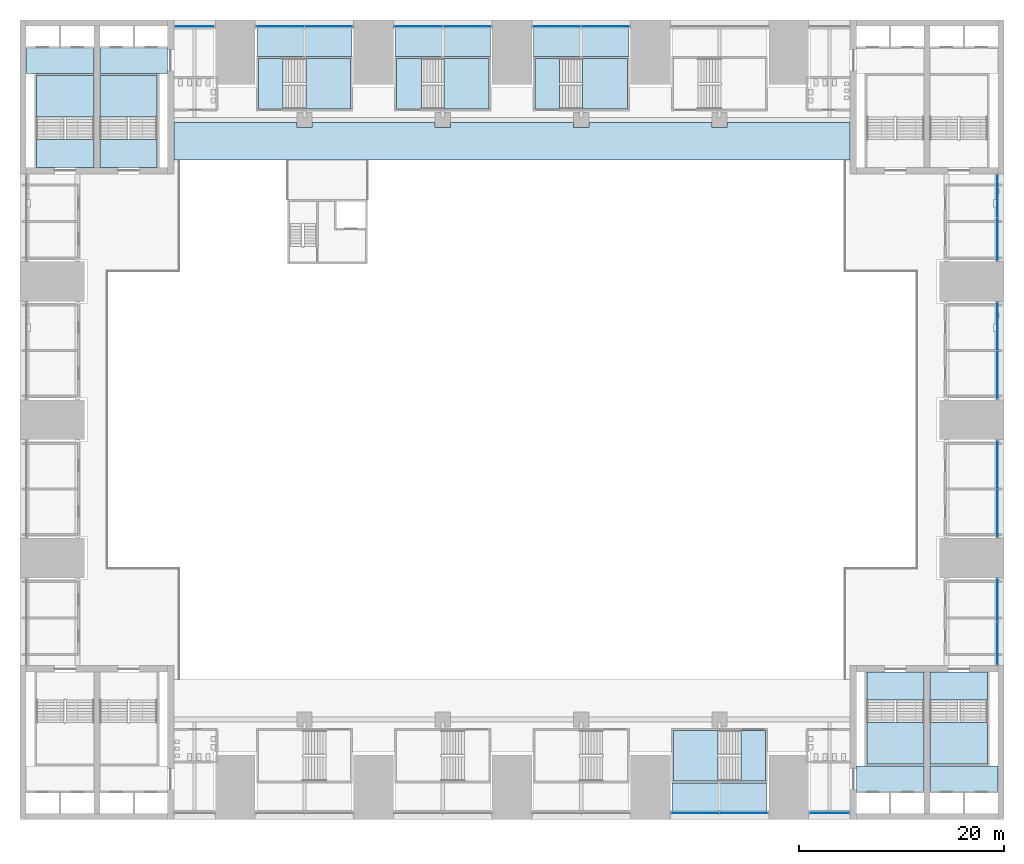
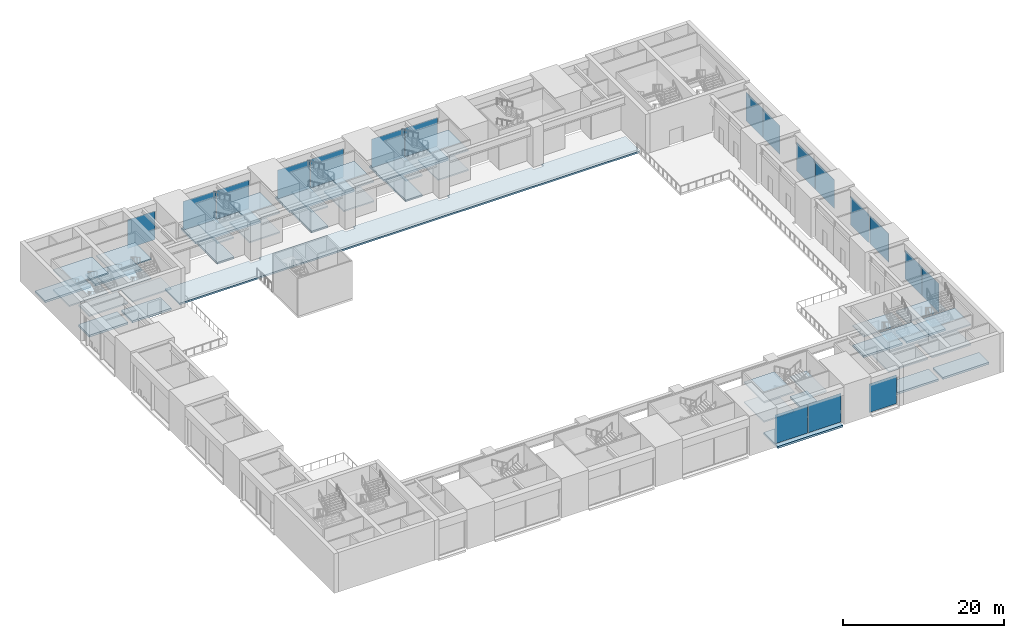
# One storey, part 11 of 41: 41 slabs, 18 plates, 18 elements without a shape of their own.
"""IFC4 building model written with IfcOpenShell, lengths in metres."""

from ifc_helpers import new_model, si_unit, direction, frame, origin, origin_2d, place, context, subcontext, project, spatial, polyline, rectangle, outline, extrude, material, layer, layer_set, type_object, element, aggregate, save


model = new_model("IFC4")

# Units and contexts
model_context = context("Model", 3, precision=1e-05, world=origin(), true_north=direction((0.0, 1.0)))
body_context = subcontext(model_context, "Body", "Model", "MODEL_VIEW")
ifc_project = project(units=[si_unit("LENGTHUNIT", "METRE"), si_unit("AREAUNIT", "SQUARE_METRE"), si_unit("VOLUMEUNIT", "CUBIC_METRE"), si_unit("PLANEANGLEUNIT", "RADIAN"), si_unit("MASSUNIT", "GRAM", prefix="KILO")], contexts=[model_context])

# Site, building, storey
site_placement = place(None, origin())
site = spatial("IfcSite", under=ifc_project, at=site_placement, CompositionType="ELEMENT")
building_placement = place(site_placement, origin())
building = spatial("IfcBuilding", under=site, at=building_placement, Name="Corbelhall Arena Tower", CompositionType="ELEMENT")
storey_placement = place(building_placement, frame((0.0, 0.0, 19.0)))
storey = spatial("IfcBuildingStorey", under=building, at=storey_placement, Name="L02", CompositionType="ELEMENT", Elevation=19.0)

# Stair, slabs
ifc_material_1 = material(Name="Reinforced concrete C40/50", Category="concrete")
stair_type = type_object("IfcStairType", Name="AR-EXIT-STAIR", PredefinedType="HALF_TURN_STAIR", material=ifc_material_1)
stair_1_placement = place(storey_placement, origin())
stair_1 = element("IfcStair", 1, at=stair_1_placement, inside=storey, type_object=stair_type, Name="L02 exit stair AS9", PredefinedType="HALF_TURN_STAIR")
ifc_layer_1 = layer(ifc_material_1, 0.199951171875)
ifc_layer_set_1 = layer_set([ifc_layer_1], Name="AR-EXIT-LANDING")
slab_type_1 = type_object("IfcSlabType", Name="AR-EXIT-LANDING", PredefinedType="LANDING", material=ifc_layer_set_1)
slab_1_placement = place(storey_placement, frame((0.0, 0.0, 1.300048828125)))
slab_1 = element("IfcSlab", 2, at=slab_1_placement, type_object=slab_type_1, Name="AS9 landing 1", PredefinedType="LANDING", context=body_context, shape_type="SweptSolid", body=[
    extrude(outline(polyline([(-20.110107421875, 30.300048828125), (-15.75, 30.300048828125), (-15.75, 35.25), (-20.110107421875, 35.25), (-20.110107421875, 30.300048828125)])), origin(), (0.0, 0.0, 1.0), 0.199951171875),
])
slab_2_placement = place(storey_placement, frame((0.0, 0.0, 2.800048828125)))
slab_2 = element("IfcSlab", 3, at=slab_2_placement, type_object=slab_type_1, Name="AS9 landing 2", PredefinedType="LANDING", context=body_context, shape_type="SweptSolid", body=[
    extrude(outline(polyline([(-24.75, 30.300048828125), (-22.35009765625, 30.300048828125), (-22.35009765625, 35.25), (-24.75, 35.25), (-24.75, 30.300048828125)])), origin(), (0.0, 0.0, 1.0), 0.199951171875),
])
slab_3_placement = place(storey_placement, frame((0.0, 0.0, 4.300048828125)))
slab_3 = element("IfcSlab", 4, at=slab_3_placement, type_object=slab_type_1, Name="AS9 landing 3", PredefinedType="LANDING", context=body_context, shape_type="SweptSolid", body=[
    extrude(outline(polyline([(-20.110107421875, 30.300048828125), (-15.75, 30.300048828125), (-15.75, 35.25), (-20.110107421875, 35.25), (-20.110107421875, 30.300048828125)])), origin(), (0.0, 0.0, 1.0), 0.199951171875),
])
aggregate(stair_1, [slab_1, slab_2, slab_3])

stair_2_placement = place(storey_placement, origin())
stair_2 = element("IfcStair", 5, at=stair_2_placement, inside=storey, type_object=stair_type, Name="L02 exit stair AS10", PredefinedType="HALF_TURN_STAIR")
slab_4_placement = place(storey_placement, frame((0.0, 0.0, 1.300048828125)))
slab_4 = element("IfcSlab", 6, at=slab_4_placement, type_object=slab_type_1, Name="AS10 landing 1", PredefinedType="LANDING", context=body_context, shape_type="SweptSolid", body=[
    extrude(outline(polyline([(-6.610107421875, 30.300048828125), (-2.25, 30.300048828125), (-2.25, 35.25), (-6.610107421875, 35.25), (-6.610107421875, 30.300048828125)])), origin(), (0.0, 0.0, 1.0), 0.199951171875),
])
slab_5_placement = place(storey_placement, frame((0.0, 0.0, 2.800048828125)))
slab_5 = element("IfcSlab", 7, at=slab_5_placement, type_object=slab_type_1, Name="AS10 landing 2", PredefinedType="LANDING", context=body_context, shape_type="SweptSolid", body=[
    extrude(outline(polyline([(-11.25, 30.300048828125), (-8.85009765625, 30.300048828125), (-8.85009765625, 35.25), (-11.25, 35.25), (-11.25, 30.300048828125)])), origin(), (0.0, 0.0, 1.0), 0.199951171875),
])
slab_6_placement = place(storey_placement, frame((0.0, 0.0, 4.300048828125)))
slab_6 = element("IfcSlab", 8, at=slab_6_placement, type_object=slab_type_1, Name="AS10 landing 3", PredefinedType="LANDING", context=body_context, shape_type="SweptSolid", body=[
    extrude(outline(polyline([(-6.610107421875, 30.300048828125), (-2.25, 30.300048828125), (-2.25, 35.25), (-6.610107421875, 35.25), (-6.610107421875, 30.300048828125)])), origin(), (0.0, 0.0, 1.0), 0.199951171875),
])
aggregate(stair_2, [slab_4, slab_5, slab_6])

stair_3_placement = place(storey_placement, origin())
stair_3 = element("IfcStair", 9, at=stair_3_placement, inside=storey, type_object=stair_type, Name="L02 exit stair AS11", PredefinedType="HALF_TURN_STAIR")
slab_7_placement = place(storey_placement, frame((0.0, 0.0, 1.300048828125)))
slab_7 = element("IfcSlab", 10, at=slab_7_placement, type_object=slab_type_1, Name="AS11 landing 1", PredefinedType="LANDING", context=body_context, shape_type="SweptSolid", body=[
    extrude(outline(polyline([(6.889892578125, 30.300048828125), (11.25, 30.300048828125), (11.25, 35.25), (6.889892578125, 35.25), (6.889892578125, 30.300048828125)])), origin(), (0.0, 0.0, 1.0), 0.199951171875),
])
slab_8_placement = place(storey_placement, frame((0.0, 0.0, 2.800048828125)))
slab_8 = element("IfcSlab", 11, at=slab_8_placement, type_object=slab_type_1, Name="AS11 landing 2", PredefinedType="LANDING", context=body_context, shape_type="SweptSolid", body=[
    extrude(outline(polyline([(2.25, 30.300048828125), (4.64990234375, 30.300048828125), (4.64990234375, 35.25), (2.25, 35.25), (2.25, 30.300048828125)])), origin(), (0.0, 0.0, 1.0), 0.199951171875),
])
slab_9_placement = place(storey_placement, frame((0.0, 0.0, 4.300048828125)))
slab_9 = element("IfcSlab", 12, at=slab_9_placement, type_object=slab_type_1, Name="AS11 landing 3", PredefinedType="LANDING", context=body_context, shape_type="SweptSolid", body=[
    extrude(outline(polyline([(6.889892578125, 30.300048828125), (11.25, 30.300048828125), (11.25, 35.25), (6.889892578125, 35.25), (6.889892578125, 30.300048828125)])), origin(), (0.0, 0.0, 1.0), 0.199951171875),
])
aggregate(stair_3, [slab_7, slab_8, slab_9])

stair_4_placement = place(storey_placement, origin())
stair_4 = element("IfcStair", 13, at=stair_4_placement, inside=storey, type_object=stair_type, Name="L02 exit stair AS16", PredefinedType="HALF_TURN_STAIR")
slab_10_placement = place(storey_placement, frame((0.0, 0.0, 1.300048828125)))
slab_10 = element("IfcSlab", 14, at=slab_10_placement, type_object=slab_type_1, Name="AS16 landing 1", PredefinedType="LANDING", context=body_context, shape_type="SweptSolid", body=[
    extrude(outline(polyline([(20.110107421875, -30.300048828125), (15.75, -30.300048828125), (15.75, -35.25), (20.110107421875, -35.25), (20.110107421875, -30.300048828125)])), origin(), (0.0, 0.0, 1.0), 0.199951171875),
])
slab_11_placement = place(storey_placement, frame((0.0, 0.0, 2.800048828125)))
slab_11 = element("IfcSlab", 15, at=slab_11_placement, type_object=slab_type_1, Name="AS16 landing 2", PredefinedType="LANDING", context=body_context, shape_type="SweptSolid", body=[
    extrude(outline(polyline([(24.75, -30.300048828125), (22.35009765625, -30.300048828125), (22.35009765625, -35.25), (24.75, -35.25), (24.75, -30.300048828125)])), origin(), (0.0, 0.0, 1.0), 0.199951171875),
])
slab_12_placement = place(storey_placement, frame((0.0, 0.0, 4.300048828125)))
slab_12 = element("IfcSlab", 16, at=slab_12_placement, type_object=slab_type_1, Name="AS16 landing 3", PredefinedType="LANDING", context=body_context, shape_type="SweptSolid", body=[
    extrude(outline(polyline([(20.110107421875, -30.300048828125), (15.75, -30.300048828125), (15.75, -35.25), (20.110107421875, -35.25), (20.110107421875, -30.300048828125)])), origin(), (0.0, 0.0, 1.0), 0.199951171875),
])
aggregate(stair_4, [slab_10, slab_11, slab_12])

stair_5_placement = place(storey_placement, origin())
stair_5 = element("IfcStair", 17, at=stair_5_placement, inside=storey, type_object=stair_type, Name="L02 exit stair AS3", PredefinedType="HALF_TURN_STAIR")
slab_13_placement = place(storey_placement, frame((0.0, 0.0, 1.300048828125)))
slab_13 = element("IfcSlab", 18, at=slab_13_placement, type_object=slab_type_1, Name="AS3 landing 1", PredefinedType="LANDING", context=body_context, shape_type="SweptSolid", body=[
    extrude(outline(polyline([(-34.610107421875, 29.56005859375), (-34.610107421875, 33.60009765625), (-40.199951171875, 33.60009765625), (-40.199951171875, 29.56005859375), (-34.610107421875, 29.56005859375)])), origin(), (0.0, 0.0, 1.0), 0.199951171875),
])
slab_14_placement = place(storey_placement, frame((0.0, 0.0, 2.800048828125)))
slab_14 = element("IfcSlab", 19, at=slab_14_placement, type_object=slab_type_1, Name="AS3 landing 2", PredefinedType="LANDING", context=body_context, shape_type="SweptSolid", body=[
    extrude(outline(polyline([(-34.610107421875, 24.60009765625), (-34.610107421875, 27.320068359375), (-40.199951171875, 27.320068359375), (-40.199951171875, 24.60009765625), (-34.610107421875, 24.60009765625)])), origin(), (0.0, 0.0, 1.0), 0.199951171875),
])
slab_15_placement = place(storey_placement, frame((0.0, 0.0, 4.300048828125)))
slab_15 = element("IfcSlab", 20, at=slab_15_placement, type_object=slab_type_1, Name="AS3 landing 3", PredefinedType="LANDING", context=body_context, shape_type="SweptSolid", body=[
    extrude(outline(polyline([(-34.610107421875, 29.56005859375), (-34.610107421875, 33.60009765625), (-40.199951171875, 33.60009765625), (-40.199951171875, 29.56005859375), (-34.610107421875, 29.56005859375)])), origin(), (0.0, 0.0, 1.0), 0.199951171875),
])
aggregate(stair_5, [slab_13, slab_14, slab_15])

stair_6_placement = place(storey_placement, origin())
stair_6 = element("IfcStair", 21, at=stair_6_placement, inside=storey, type_object=stair_type, Name="L02 exit stair AS4", PredefinedType="HALF_TURN_STAIR")
slab_16_placement = place(storey_placement, frame((0.0, 0.0, 1.300048828125)))
slab_16 = element("IfcSlab", 22, at=slab_16_placement, type_object=slab_type_1, Name="AS4 landing 1", PredefinedType="LANDING", context=body_context, shape_type="SweptSolid", body=[
    extrude(outline(polyline([(-40.800048828125, 29.56005859375), (-40.800048828125, 33.60009765625), (-46.389892578125, 33.60009765625), (-46.389892578125, 29.56005859375), (-40.800048828125, 29.56005859375)])), origin(), (0.0, 0.0, 1.0), 0.199951171875),
])
slab_17_placement = place(storey_placement, frame((0.0, 0.0, 2.800048828125)))
slab_17 = element("IfcSlab", 23, at=slab_17_placement, type_object=slab_type_1, Name="AS4 landing 2", PredefinedType="LANDING", context=body_context, shape_type="SweptSolid", body=[
    extrude(outline(polyline([(-40.800048828125, 24.60009765625), (-40.800048828125, 27.320068359375), (-46.389892578125, 27.320068359375), (-46.389892578125, 24.60009765625), (-40.800048828125, 24.60009765625)])), origin(), (0.0, 0.0, 1.0), 0.199951171875),
])
slab_18_placement = place(storey_placement, frame((0.0, 0.0, 4.300048828125)))
slab_18 = element("IfcSlab", 24, at=slab_18_placement, type_object=slab_type_1, Name="AS4 landing 3", PredefinedType="LANDING", context=body_context, shape_type="SweptSolid", body=[
    extrude(outline(polyline([(-40.800048828125, 29.56005859375), (-40.800048828125, 33.60009765625), (-46.389892578125, 33.60009765625), (-46.389892578125, 29.56005859375), (-40.800048828125, 29.56005859375)])), origin(), (0.0, 0.0, 1.0), 0.199951171875),
])
aggregate(stair_6, [slab_16, slab_17, slab_18])

stair_7_placement = place(storey_placement, origin())
stair_7 = element("IfcStair", 25, at=stair_7_placement, inside=storey, type_object=stair_type, Name="L02 exit stair AS5", PredefinedType="HALF_TURN_STAIR")
slab_19_placement = place(storey_placement, frame((0.0, 0.0, 1.300048828125)))
slab_19 = element("IfcSlab", 26, at=slab_19_placement, type_object=slab_type_1, Name="AS5 landing 1", PredefinedType="LANDING", context=body_context, shape_type="SweptSolid", body=[
    extrude(outline(polyline([(34.610107421875, -29.56005859375), (34.610107421875, -33.60009765625), (40.199951171875, -33.60009765625), (40.199951171875, -29.56005859375), (34.610107421875, -29.56005859375)])), origin(), (0.0, 0.0, 1.0), 0.199951171875),
])
slab_20_placement = place(storey_placement, frame((0.0, 0.0, 2.800048828125)))
slab_20 = element("IfcSlab", 27, at=slab_20_placement, type_object=slab_type_1, Name="AS5 landing 2", PredefinedType="LANDING", context=body_context, shape_type="SweptSolid", body=[
    extrude(outline(polyline([(34.610107421875, -24.60009765625), (34.610107421875, -27.320068359375), (40.199951171875, -27.320068359375), (40.199951171875, -24.60009765625), (34.610107421875, -24.60009765625)])), origin(), (0.0, 0.0, 1.0), 0.199951171875),
])
slab_21_placement = place(storey_placement, frame((0.0, 0.0, 4.300048828125)))
slab_21 = element("IfcSlab", 28, at=slab_21_placement, type_object=slab_type_1, Name="AS5 landing 3", PredefinedType="LANDING", context=body_context, shape_type="SweptSolid", body=[
    extrude(outline(polyline([(34.610107421875, -29.56005859375), (34.610107421875, -33.60009765625), (40.199951171875, -33.60009765625), (40.199951171875, -29.56005859375), (34.610107421875, -29.56005859375)])), origin(), (0.0, 0.0, 1.0), 0.199951171875),
])
aggregate(stair_7, [slab_19, slab_20, slab_21])

stair_8_placement = place(storey_placement, origin())
stair_8 = element("IfcStair", 29, at=stair_8_placement, inside=storey, type_object=stair_type, Name="L02 exit stair AS6", PredefinedType="HALF_TURN_STAIR")
slab_22_placement = place(storey_placement, frame((0.0, 0.0, 1.300048828125)))
slab_22 = element("IfcSlab", 30, at=slab_22_placement, type_object=slab_type_1, Name="AS6 landing 1", PredefinedType="LANDING", context=body_context, shape_type="SweptSolid", body=[
    extrude(outline(polyline([(40.800048828125, -29.56005859375), (40.800048828125, -33.60009765625), (46.389892578125, -33.60009765625), (46.389892578125, -29.56005859375), (40.800048828125, -29.56005859375)])), origin(), (0.0, 0.0, 1.0), 0.199951171875),
])
slab_23_placement = place(storey_placement, frame((0.0, 0.0, 2.800048828125)))
slab_23 = element("IfcSlab", 31, at=slab_23_placement, type_object=slab_type_1, Name="AS6 landing 2", PredefinedType="LANDING", context=body_context, shape_type="SweptSolid", body=[
    extrude(outline(polyline([(40.800048828125, -24.60009765625), (40.800048828125, -27.320068359375), (46.389892578125, -27.320068359375), (46.389892578125, -24.60009765625), (40.800048828125, -24.60009765625)])), origin(), (0.0, 0.0, 1.0), 0.199951171875),
])
slab_24_placement = place(storey_placement, frame((0.0, 0.0, 4.300048828125)))
slab_24 = element("IfcSlab", 32, at=slab_24_placement, type_object=slab_type_1, Name="AS6 landing 3", PredefinedType="LANDING", context=body_context, shape_type="SweptSolid", body=[
    extrude(outline(polyline([(40.800048828125, -29.56005859375), (40.800048828125, -33.60009765625), (46.389892578125, -33.60009765625), (46.389892578125, -29.56005859375), (40.800048828125, -29.56005859375)])), origin(), (0.0, 0.0, 1.0), 0.199951171875),
])
aggregate(stair_8, [slab_22, slab_23, slab_24])

# Slabs
ifc_layer_2 = layer(ifc_material_1, 0.300048828125)
ifc_layer_set_2 = layer_set([ifc_layer_2], Name="AR-STAIR-FLOOR")
slab_type_2 = type_object("IfcSlabType", Name="AR-STAIR-FLOOR", PredefinedType="FLOOR", material=ifc_layer_set_2)
slab_25_placement = place(storey_placement, frame((0.0, 0.0, -0.300048828125)))
element("IfcSlab", 33, at=slab_25_placement, inside=storey, type_object=slab_type_2, Name="Stair AS9 floor", PredefinedType="FLOOR", context=body_context, shape_type="SweptSolid", body=[
    extrude(outline(polyline([(-24.75, 30.300048828125), (-24.75, 35.25), (-22.346923828125, 35.25), (-22.346923828125, 30.300048828125), (-24.75, 30.300048828125)])), origin(), (0.0, 0.0, 1.0), 0.300048828125),
])
slab_26_placement = place(storey_placement, frame((0.0, 0.0, -0.300048828125)))
element("IfcSlab", 34, at=slab_26_placement, inside=storey, type_object=slab_type_2, Name="Stair AS10 floor", PredefinedType="FLOOR", context=body_context, shape_type="SweptSolid", body=[
    extrude(outline(polyline([(-11.25, 30.300048828125), (-11.25, 35.25), (-8.846923828125, 35.25), (-8.846923828125, 30.300048828125), (-11.25, 30.300048828125)])), origin(), (0.0, 0.0, 1.0), 0.300048828125),
])
slab_27_placement = place(storey_placement, frame((0.0, 0.0, -0.300048828125)))
element("IfcSlab", 35, at=slab_27_placement, inside=storey, type_object=slab_type_2, Name="Stair AS11 floor", PredefinedType="FLOOR", context=body_context, shape_type="SweptSolid", body=[
    extrude(outline(polyline([(2.25, 30.300048828125), (2.25, 35.25), (4.653076171875, 35.25), (4.653076171875, 30.300048828125), (2.25, 30.300048828125)])), origin(), (0.0, 0.0, 1.0), 0.300048828125),
])
slab_28_placement = place(storey_placement, frame((0.0, 0.0, -0.300048828125)))
element("IfcSlab", 36, at=slab_28_placement, inside=storey, type_object=slab_type_2, Name="Stair AS16 floor", PredefinedType="FLOOR", context=body_context, shape_type="SweptSolid", body=[
    extrude(outline(polyline([(24.75, -30.300048828125), (24.75, -35.25), (22.346923828125, -35.25), (22.346923828125, -30.300048828125), (24.75, -30.300048828125)])), origin(), (0.0, 0.0, 1.0), 0.300048828125),
])
slab_29_placement = place(storey_placement, frame((0.0, 0.0, -0.300048828125)))
element("IfcSlab", 37, at=slab_29_placement, inside=storey, type_object=slab_type_2, Name="Stair AS3 floor", PredefinedType="FLOOR", context=body_context, shape_type="SweptSolid", body=[
    extrude(outline(polyline([(-34.610107421875, 24.60009765625), (-40.199951171875, 24.60009765625), (-40.199951171875, 27.322998046875), (-34.610107421875, 27.322998046875), (-34.610107421875, 24.60009765625)])), origin(), (0.0, 0.0, 1.0), 0.300048828125),
])
slab_30_placement = place(storey_placement, frame((0.0, 0.0, -0.300048828125)))
element("IfcSlab", 38, at=slab_30_placement, inside=storey, type_object=slab_type_2, Name="Stair AS4 floor", PredefinedType="FLOOR", context=body_context, shape_type="SweptSolid", body=[
    extrude(outline(polyline([(-40.800048828125, 24.60009765625), (-46.389892578125, 24.60009765625), (-46.389892578125, 27.322998046875), (-40.800048828125, 27.322998046875), (-40.800048828125, 24.60009765625)])), origin(), (0.0, 0.0, 1.0), 0.300048828125),
])
slab_31_placement = place(storey_placement, frame((0.0, 0.0, -0.300048828125)))
element("IfcSlab", 39, at=slab_31_placement, inside=storey, type_object=slab_type_2, Name="Stair AS5 floor", PredefinedType="FLOOR", context=body_context, shape_type="SweptSolid", body=[
    extrude(outline(polyline([(34.610107421875, -24.60009765625), (40.199951171875, -24.60009765625), (40.199951171875, -27.322998046875), (34.610107421875, -27.322998046875), (34.610107421875, -24.60009765625)])), origin(), (0.0, 0.0, 1.0), 0.300048828125),
])
slab_32_placement = place(storey_placement, frame((0.0, 0.0, -0.300048828125)))
element("IfcSlab", 40, at=slab_32_placement, inside=storey, type_object=slab_type_2, Name="Stair AS6 floor", PredefinedType="FLOOR", context=body_context, shape_type="SweptSolid", body=[
    extrude(outline(polyline([(40.800048828125, -24.60009765625), (46.389892578125, -24.60009765625), (46.389892578125, -27.322998046875), (40.800048828125, -27.322998046875), (40.800048828125, -24.60009765625)])), origin(), (0.0, 0.0, 1.0), 0.300048828125),
])
slab_33_placement = place(storey_placement, frame((0.0, 0.0, -0.300048828125)))
element("IfcSlab", 41, at=slab_33_placement, inside=storey, type_object=slab_type_2, Name="Lift lobby floor NW", PredefinedType="FLOOR", context=body_context, shape_type="SweptSolid", body=[
    extrude(outline(polyline([(-40.800048828125, 33.800048828125), (-40.800048828125, 36.300048828125), (-47.39990234375, 36.300048828125), (-47.39990234375, 33.800048828125), (-40.800048828125, 33.800048828125)])), origin(), (0.0, 0.0, 1.0), 0.300048828125),
])
slab_34_placement = place(storey_placement, frame((0.0, 0.0, -0.300048828125)))
element("IfcSlab", 42, at=slab_34_placement, inside=storey, type_object=slab_type_2, Name="Lift lobby floor NW", PredefinedType="FLOOR", context=body_context, shape_type="SweptSolid", body=[
    extrude(outline(polyline([(-33.60009765625, 33.800048828125), (-33.60009765625, 36.300048828125), (-40.199951171875, 36.300048828125), (-40.199951171875, 33.800048828125), (-33.60009765625, 33.800048828125)])), origin(), (0.0, 0.0, 1.0), 0.300048828125),
])
slab_35_placement = place(storey_placement, frame((0.0, 0.0, -0.300048828125)))
element("IfcSlab", 43, at=slab_35_placement, inside=storey, type_object=slab_type_2, Name="Lift lobby floor SE", PredefinedType="FLOOR", context=body_context, shape_type="SweptSolid", body=[
    extrude(outline(polyline([(40.199951171875, -36.300048828125), (40.199951171875, -33.800048828125), (33.60009765625, -33.800048828125), (33.60009765625, -36.300048828125), (40.199951171875, -36.300048828125)])), origin(), (0.0, 0.0, 1.0), 0.300048828125),
])
slab_36_placement = place(storey_placement, frame((0.0, 0.0, -0.300048828125)))
element("IfcSlab", 44, at=slab_36_placement, inside=storey, type_object=slab_type_2, Name="Lift lobby floor SE", PredefinedType="FLOOR", context=body_context, shape_type="SweptSolid", body=[
    extrude(outline(polyline([(47.39990234375, -36.300048828125), (47.39990234375, -33.800048828125), (40.800048828125, -33.800048828125), (40.800048828125, -36.300048828125), (47.39990234375, -36.300048828125)])), origin(), (0.0, 0.0, 1.0), 0.300048828125),
])

# Curtain wall, plates
ifc_material_2 = material(Name="Aluminium black anodised", Category="aluminium")
ifc_layer_3 = layer(ifc_material_2, 0.239990234375)
ifc_layer_set_3 = layer_set([ifc_layer_3], Name="EV-CW4 Arena concourse glazing")
curtain_wall_type = type_object("IfcCurtainWallType", Name="EV-CW4 Arena concourse glazing", PredefinedType="NOTDEFINED", material=ifc_layer_set_3)
curtain_wall_1_placement = place(storey_placement, origin())
curtain_wall_1 = element("IfcCurtainWall", 45, at=curtain_wall_1_placement, inside=storey, type_object=curtain_wall_type, Name="Curtain wall CW4", PredefinedType="NOTDEFINED")
ifc_material_3 = material(Name="Glass dark tinted laminated", Category="glass")
ifc_layer_4 = layer(ifc_material_3, 0.028076171875)
ifc_layer_set_4 = layer_set([ifc_layer_4], Name="EV-CW4-PANEL")
plate_type = type_object("IfcPlateType", Name="EV-CW4-PANEL", PredefinedType="CURTAIN_PANEL", material=ifc_layer_set_4)
plate_1_placement = place(storey_placement, frame((17.86865234375, -38.3798828125, 0.074951171875), z_axis=(0.0, 0.0, 1.0), x_axis=(1.0, 0.0, 0.0)))
plate_1 = element("IfcPlate", 46, at=plate_1_placement, type_object=plate_type, Name="CW4 panel 1.1", PredefinedType="CURTAIN_PANEL", context=body_context, shape_type="SweptSolid", body=[
    extrude(rectangle(XDim=4.6875, YDim=0.028076171875, at=origin_2d()), origin(), (0.0, 0.0, 1.0), 4.35009765625),
])
plate_2_placement = place(storey_placement, frame((22.63134765625, -38.3798828125, 0.074951171875), z_axis=(0.0, 0.0, 1.0), x_axis=(1.0, 0.0, 0.0)))
plate_2 = element("IfcPlate", 47, at=plate_2_placement, type_object=plate_type, Name="CW4 panel 2.1", PredefinedType="CURTAIN_PANEL", context=body_context, shape_type="SweptSolid", body=[
    extrude(rectangle(XDim=4.6875, YDim=0.028076171875, at=origin_2d()), origin(), (0.0, 0.0, 1.0), 4.35009765625),
])
aggregate(curtain_wall_1, [plate_1, plate_2])

# Curtain wall, plate
curtain_wall_2_placement = place(storey_placement, origin())
curtain_wall_2 = element("IfcCurtainWall", 48, at=curtain_wall_2_placement, inside=storey, type_object=curtain_wall_type, Name="Curtain wall CW4A", PredefinedType="NOTDEFINED")
plate_3_placement = place(storey_placement, frame((30.97509765625, -38.3798828125, 0.074951171875), z_axis=(0.0, 0.0, 1.0), x_axis=(1.0, 0.0, 0.0)))
plate_3 = element("IfcPlate", 49, at=plate_3_placement, type_object=plate_type, Name="CW4A panel 1.1", PredefinedType="CURTAIN_PANEL", context=body_context, shape_type="SweptSolid", body=[
    extrude(rectangle(XDim=3.89990234375, YDim=0.028076171875, at=origin_2d()), origin(), (0.0, 0.0, 1.0), 4.35009765625),
])
aggregate(curtain_wall_2, [plate_3])

# Curtain wall, plates
curtain_wall_3_placement = place(storey_placement, origin())
curtain_wall_3 = element("IfcCurtainWall", 50, at=curtain_wall_3_placement, inside=storey, type_object=curtain_wall_type, Name="Curtain wall CW4B", PredefinedType="NOTDEFINED")
plate_4_placement = place(storey_placement, frame((47.3798828125, -21.84375, 0.074951171875), z_axis=(0.0, 0.0, 1.0), x_axis=(0.0, 1.0, 0.0)))
plate_4 = element("IfcPlate", 51, at=plate_4_placement, type_object=plate_type, Name="CW4B panel 1.1", PredefinedType="CURTAIN_PANEL", context=body_context, shape_type="SweptSolid", body=[
    extrude(rectangle(XDim=4.16259765625, YDim=0.028076171875, at=origin_2d()), origin(), (0.0, 0.0, 1.0), 4.35009765625),
])
plate_5_placement = place(storey_placement, frame((47.3798828125, -17.606201171875, 0.074951171875), z_axis=(0.0, 0.0, 1.0), x_axis=(0.0, 1.0, 0.0)))
plate_5 = element("IfcPlate", 52, at=plate_5_placement, type_object=plate_type, Name="CW4B panel 2.1", PredefinedType="CURTAIN_PANEL", context=body_context, shape_type="SweptSolid", body=[
    extrude(rectangle(XDim=4.16259765625, YDim=0.028076171875, at=origin_2d()), origin(), (0.0, 0.0, 1.0), 4.35009765625),
])
aggregate(curtain_wall_3, [plate_4, plate_5])

curtain_wall_4_placement = place(storey_placement, origin())
curtain_wall_4 = element("IfcCurtainWall", 53, at=curtain_wall_4_placement, inside=storey, type_object=curtain_wall_type, Name="Curtain wall CW4", PredefinedType="NOTDEFINED")
plate_6_placement = place(storey_placement, frame((47.3798828125, -9.13134765625, 0.074951171875), z_axis=(0.0, 0.0, 1.0), x_axis=(0.0, 1.0, 0.0)))
plate_6 = element("IfcPlate", 54, at=plate_6_placement, type_object=plate_type, Name="CW4 panel 1.1", PredefinedType="CURTAIN_PANEL", context=body_context, shape_type="SweptSolid", body=[
    extrude(rectangle(XDim=4.6875, YDim=0.028076171875, at=origin_2d()), origin(), (0.0, 0.0, 1.0), 4.35009765625),
])
plate_7_placement = place(storey_placement, frame((47.3798828125, -4.36865234375, 0.074951171875), z_axis=(0.0, 0.0, 1.0), x_axis=(0.0, 1.0, 0.0)))
plate_7 = element("IfcPlate", 55, at=plate_7_placement, type_object=plate_type, Name="CW4 panel 2.1", PredefinedType="CURTAIN_PANEL", context=body_context, shape_type="SweptSolid", body=[
    extrude(rectangle(XDim=4.6875, YDim=0.028076171875, at=origin_2d()), origin(), (0.0, 0.0, 1.0), 4.35009765625),
])
aggregate(curtain_wall_4, [plate_6, plate_7])

curtain_wall_5_placement = place(storey_placement, origin())
curtain_wall_5 = element("IfcCurtainWall", 56, at=curtain_wall_5_placement, inside=storey, type_object=curtain_wall_type, Name="Curtain wall CW4", PredefinedType="NOTDEFINED")
plate_8_placement = place(storey_placement, frame((47.3798828125, 4.36865234375, 0.074951171875), z_axis=(0.0, 0.0, 1.0), x_axis=(0.0, 1.0, 0.0)))
plate_8 = element("IfcPlate", 57, at=plate_8_placement, type_object=plate_type, Name="CW4 panel 1.1", PredefinedType="CURTAIN_PANEL", context=body_context, shape_type="SweptSolid", body=[
    extrude(rectangle(XDim=4.6875, YDim=0.028076171875, at=origin_2d()), origin(), (0.0, 0.0, 1.0), 4.35009765625),
])
plate_9_placement = place(storey_placement, frame((47.3798828125, 9.13134765625, 0.074951171875), z_axis=(0.0, 0.0, 1.0), x_axis=(0.0, 1.0, 0.0)))
plate_9 = element("IfcPlate", 58, at=plate_9_placement, type_object=plate_type, Name="CW4 panel 2.1", PredefinedType="CURTAIN_PANEL", context=body_context, shape_type="SweptSolid", body=[
    extrude(rectangle(XDim=4.6875, YDim=0.028076171875, at=origin_2d()), origin(), (0.0, 0.0, 1.0), 4.35009765625),
])
aggregate(curtain_wall_5, [plate_8, plate_9])

curtain_wall_6_placement = place(storey_placement, origin())
curtain_wall_6 = element("IfcCurtainWall", 59, at=curtain_wall_6_placement, inside=storey, type_object=curtain_wall_type, Name="Curtain wall CW4B", PredefinedType="NOTDEFINED")
plate_10_placement = place(storey_placement, frame((47.3798828125, 17.606201171875, 0.074951171875), z_axis=(0.0, 0.0, 1.0), x_axis=(0.0, 1.0, 0.0)))
plate_10 = element("IfcPlate", 60, at=plate_10_placement, type_object=plate_type, Name="CW4B panel 1.1", PredefinedType="CURTAIN_PANEL", context=body_context, shape_type="SweptSolid", body=[
    extrude(rectangle(XDim=4.16259765625, YDim=0.028076171875, at=origin_2d()), origin(), (0.0, 0.0, 1.0), 4.35009765625),
])
plate_11_placement = place(storey_placement, frame((47.3798828125, 21.84375, 0.074951171875), z_axis=(0.0, 0.0, 1.0), x_axis=(0.0, 1.0, 0.0)))
plate_11 = element("IfcPlate", 61, at=plate_11_placement, type_object=plate_type, Name="CW4B panel 2.1", PredefinedType="CURTAIN_PANEL", context=body_context, shape_type="SweptSolid", body=[
    extrude(rectangle(XDim=4.16259765625, YDim=0.028076171875, at=origin_2d()), origin(), (0.0, 0.0, 1.0), 4.35009765625),
])
aggregate(curtain_wall_6, [plate_10, plate_11])

curtain_wall_7_placement = place(storey_placement, origin())
curtain_wall_7 = element("IfcCurtainWall", 62, at=curtain_wall_7_placement, inside=storey, type_object=curtain_wall_type, Name="Curtain wall CW4", PredefinedType="NOTDEFINED")
plate_12_placement = place(storey_placement, frame((9.13134765625, 38.3798828125, 0.074951171875), z_axis=(0.0, 0.0, 1.0), x_axis=(-1.0, 0.0, 0.0)))
plate_12 = element("IfcPlate", 63, at=plate_12_placement, type_object=plate_type, Name="CW4 panel 1.1", PredefinedType="CURTAIN_PANEL", context=body_context, shape_type="SweptSolid", body=[
    extrude(rectangle(XDim=4.6875, YDim=0.028076171875, at=origin_2d()), origin(), (0.0, 0.0, 1.0), 4.35009765625),
])
plate_13_placement = place(storey_placement, frame((4.36865234375, 38.3798828125, 0.074951171875), z_axis=(0.0, 0.0, 1.0), x_axis=(-1.0, 0.0, 0.0)))
plate_13 = element("IfcPlate", 64, at=plate_13_placement, type_object=plate_type, Name="CW4 panel 2.1", PredefinedType="CURTAIN_PANEL", context=body_context, shape_type="SweptSolid", body=[
    extrude(rectangle(XDim=4.6875, YDim=0.028076171875, at=origin_2d()), origin(), (0.0, 0.0, 1.0), 4.35009765625),
])
aggregate(curtain_wall_7, [plate_12, plate_13])

curtain_wall_8_placement = place(storey_placement, origin())
curtain_wall_8 = element("IfcCurtainWall", 65, at=curtain_wall_8_placement, inside=storey, type_object=curtain_wall_type, Name="Curtain wall CW4", PredefinedType="NOTDEFINED")
plate_14_placement = place(storey_placement, frame((-4.36865234375, 38.3798828125, 0.074951171875), z_axis=(0.0, 0.0, 1.0), x_axis=(-1.0, 0.0, 0.0)))
plate_14 = element("IfcPlate", 66, at=plate_14_placement, type_object=plate_type, Name="CW4 panel 1.1", PredefinedType="CURTAIN_PANEL", context=body_context, shape_type="SweptSolid", body=[
    extrude(rectangle(XDim=4.6875, YDim=0.028076171875, at=origin_2d()), origin(), (0.0, 0.0, 1.0), 4.35009765625),
])
plate_15_placement = place(storey_placement, frame((-9.13134765625, 38.3798828125, 0.074951171875), z_axis=(0.0, 0.0, 1.0), x_axis=(-1.0, 0.0, 0.0)))
plate_15 = element("IfcPlate", 67, at=plate_15_placement, type_object=plate_type, Name="CW4 panel 2.1", PredefinedType="CURTAIN_PANEL", context=body_context, shape_type="SweptSolid", body=[
    extrude(rectangle(XDim=4.6875, YDim=0.028076171875, at=origin_2d()), origin(), (0.0, 0.0, 1.0), 4.35009765625),
])
aggregate(curtain_wall_8, [plate_14, plate_15])

curtain_wall_9_placement = place(storey_placement, origin())
curtain_wall_9 = element("IfcCurtainWall", 68, at=curtain_wall_9_placement, inside=storey, type_object=curtain_wall_type, Name="Curtain wall CW4", PredefinedType="NOTDEFINED")
plate_16_placement = place(storey_placement, frame((-17.86865234375, 38.3798828125, 0.074951171875), z_axis=(0.0, 0.0, 1.0), x_axis=(-1.0, 0.0, 0.0)))
plate_16 = element("IfcPlate", 69, at=plate_16_placement, type_object=plate_type, Name="CW4 panel 1.1", PredefinedType="CURTAIN_PANEL", context=body_context, shape_type="SweptSolid", body=[
    extrude(rectangle(XDim=4.6875, YDim=0.028076171875, at=origin_2d()), origin(), (0.0, 0.0, 1.0), 4.35009765625),
])
plate_17_placement = place(storey_placement, frame((-22.63134765625, 38.3798828125, 0.074951171875), z_axis=(0.0, 0.0, 1.0), x_axis=(-1.0, 0.0, 0.0)))
plate_17 = element("IfcPlate", 70, at=plate_17_placement, type_object=plate_type, Name="CW4 panel 2.1", PredefinedType="CURTAIN_PANEL", context=body_context, shape_type="SweptSolid", body=[
    extrude(rectangle(XDim=4.6875, YDim=0.028076171875, at=origin_2d()), origin(), (0.0, 0.0, 1.0), 4.35009765625),
])
aggregate(curtain_wall_9, [plate_16, plate_17])

# Curtain wall, plate
curtain_wall_10_placement = place(storey_placement, origin())
curtain_wall_10 = element("IfcCurtainWall", 71, at=curtain_wall_10_placement, inside=storey, type_object=curtain_wall_type, Name="Curtain wall CW4A", PredefinedType="NOTDEFINED")
plate_18_placement = place(storey_placement, frame((-30.97509765625, 38.3798828125, 0.074951171875), z_axis=(0.0, 0.0, 1.0), x_axis=(-1.0, 0.0, 0.0)))
plate_18 = element("IfcPlate", 72, at=plate_18_placement, type_object=plate_type, Name="CW4A panel 1.1", PredefinedType="CURTAIN_PANEL", context=body_context, shape_type="SweptSolid", body=[
    extrude(rectangle(XDim=3.89990234375, YDim=0.028076171875, at=origin_2d()), origin(), (0.0, 0.0, 1.0), 4.35009765625),
])
aggregate(curtain_wall_10, [plate_18])

# Slabs
ifc_material_4 = material(Name="Concrete C32/40", Category="concrete")
ifc_layer_5 = layer(ifc_material_4, 0.300048828125)
ifc_layer_set_5 = layer_set([ifc_layer_5], Name="PO-FLOOR-SLAB")
slab_type_3 = type_object("IfcSlabType", Name="PO-FLOOR-SLAB", PredefinedType="FLOOR", material=ifc_layer_set_5)
slab_37_placement = place(storey_placement, frame((0.0, 0.0, -0.300048828125)))
element("IfcSlab", 73, at=slab_37_placement, inside=storey, type_object=slab_type_3, Name="FLOOR SLAB L02 2", PredefinedType="FLOOR", context=body_context, shape_type="SweptSolid", body=[
    extrude(outline(polyline([(-15.60009765625, 39.0), (-15.60009765625, 35.449951171875), (-24.89990234375, 35.449951171875), (-24.89990234375, 39.0), (-15.60009765625, 39.0)])), origin(), (0.0, 0.0, 1.0), 0.300048828125),
])
slab_38_placement = place(storey_placement, frame((0.0, 0.0, -0.300048828125)))
element("IfcSlab", 74, at=slab_38_placement, inside=storey, type_object=slab_type_3, Name="FLOOR SLAB L02 4", PredefinedType="FLOOR", context=body_context, shape_type="SweptSolid", body=[
    extrude(outline(polyline([(-2.10009765625, 39.0), (-2.10009765625, 35.449951171875), (-11.39990234375, 35.449951171875), (-11.39990234375, 39.0), (-2.10009765625, 39.0)])), origin(), (0.0, 0.0, 1.0), 0.300048828125),
])
slab_39_placement = place(storey_placement, frame((0.0, 0.0, -0.300048828125)))
element("IfcSlab", 75, at=slab_39_placement, inside=storey, type_object=slab_type_3, Name="FLOOR SLAB L02 7", PredefinedType="FLOOR", context=body_context, shape_type="SweptSolid", body=[
    extrude(outline(polyline([(11.39990234375, 39.0), (11.39990234375, 35.449951171875), (2.10009765625, 35.449951171875), (2.10009765625, 39.0), (11.39990234375, 39.0)])), origin(), (0.0, 0.0, 1.0), 0.300048828125),
])
slab_40_placement = place(storey_placement, frame((0.0, 0.0, -0.300048828125)))
element("IfcSlab", 76, at=slab_40_placement, inside=storey, type_object=slab_type_3, Name="FLOOR SLAB L02 8", PredefinedType="FLOOR", context=body_context, shape_type="SweptSolid", body=[
    extrude(outline(polyline([(15.60009765625, -39.0), (15.60009765625, -35.449951171875), (24.89990234375, -35.449951171875), (24.89990234375, -39.0), (15.60009765625, -39.0)])), origin(), (0.0, 0.0, 1.0), 0.300048828125),
])
ifc_layer_6 = layer(ifc_material_4, 0.25)
ifc_layer_set_6 = layer_set([ifc_layer_6], Name="PO-FLOOR-SLAB-BAND")
slab_type_4 = type_object("IfcSlabType", Name="PO-FLOOR-SLAB-BAND", PredefinedType="FLOOR", material=ifc_layer_set_6)
slab_41_placement = place(storey_placement, frame((0.0, 0.0, -0.550048828125)))
element("IfcSlab", 77, at=slab_41_placement, inside=storey, type_object=slab_type_4, Name="FLOOR SLAB BAND L02 2", PredefinedType="FLOOR", context=body_context, shape_type="SweptSolid", body=[
    extrude(outline(polyline([(-33.0, 29.0), (-21.0, 29.0), (-21.0, 28.5), (-19.5, 28.5), (-19.5, 29.0), (-7.5, 29.0), (-7.5, 28.5), (-6.0, 28.5), (-6.0, 29.0), (6.0, 29.0), (6.0, 28.5), (7.5, 28.5), (7.5, 29.0), (19.5, 29.0), (19.5, 28.5), (21.0, 28.5), (21.0, 29.0), (33.0, 29.0), (33.0, 25.35009765625), (-33.0, 25.35009765625), (-33.0, 29.0)])), origin(), (0.0, 0.0, 1.0), 0.25),
])

save(model, "model.ifc")
